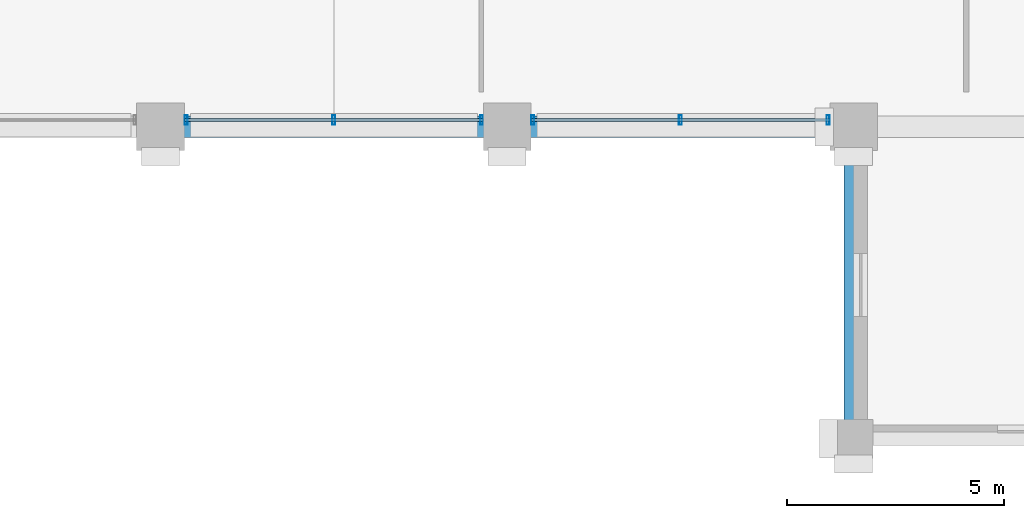
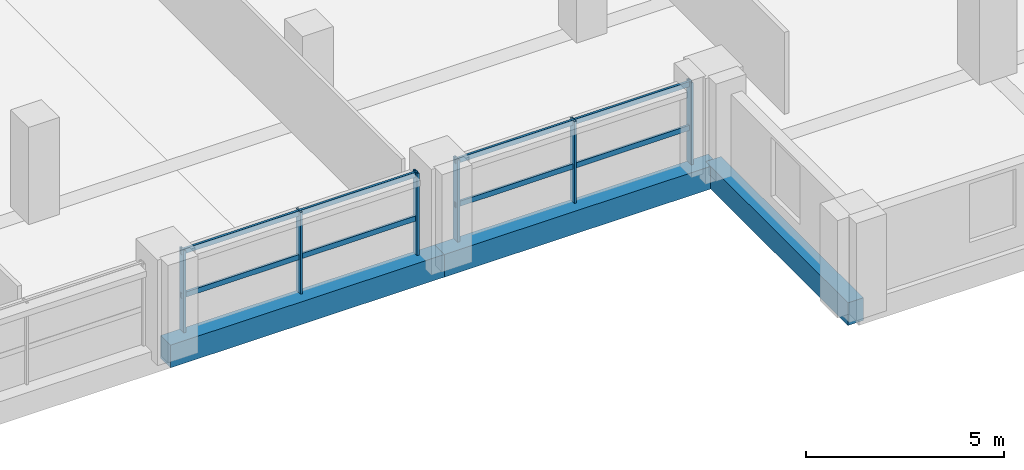
# One storey, part 6 of 22: 10 members, 3 beams, 2 elements without a shape of their own.
"""IFC4 building model written with IfcOpenShell, lengths in metres."""

from ifc_helpers import new_model, si_unit, direction, frame, origin, origin_2d, place, context, subcontext, project, spatial, rectangle, hollow_rectangle, extrude, material, material_profile, profile_set, type_object, element, aggregate, save


model = new_model("IFC4")

# Units and contexts
model_context = context("Model", 3, precision=1e-05, world=origin(), true_north=direction((0.0, 1.0)))
body_context = subcontext(model_context, "Body", "Model", "MODEL_VIEW")
ifc_project = project(units=[si_unit("LENGTHUNIT", "METRE"), si_unit("AREAUNIT", "SQUARE_METRE"), si_unit("VOLUMEUNIT", "CUBIC_METRE"), si_unit("PLANEANGLEUNIT", "RADIAN"), si_unit("MASSUNIT", "GRAM", prefix="KILO")], contexts=[model_context])

# Site, building, storey
site_placement = place(None, origin())
site = spatial("IfcSite", under=ifc_project, at=site_placement, CompositionType="ELEMENT")
building_placement = place(site_placement, origin())
building = spatial("IfcBuilding", under=site, at=building_placement, Name="Akrevak Sports Hall", CompositionType="ELEMENT")
storey_placement = place(building_placement, frame((0.0, 0.0, 30.800048828125)))
storey = spatial("IfcBuildingStorey", under=building, at=storey_placement, Name="L06", CompositionType="ELEMENT", Elevation=30.800048828125)

# Curtain wall, members
ifc_material_1 = material(Name="Anodized Bronze Aluminium & Low-E Glass", Category="aluminium")
curtain_wall_type = type_object("IfcCurtainWallType", Name="ARC-CW-TWR-64x30", PredefinedType="NOTDEFINED", material=ifc_material_1)
curtain_wall_1_placement = place(storey_placement, origin())
curtain_wall_1 = element("IfcCurtainWall", 1, at=curtain_wall_1_placement, inside=storey, type_object=curtain_wall_type, Name="Curtain Wall CW-L06-S06", PredefinedType="NOTDEFINED")
ifc_material_2 = material(Name="Anodized Bronze Aluminium", Category="aluminium")
ifc_material_profile_1 = material_profile(ifc_material_2, hollow_rectangle(XDim=0.06494140625, YDim=0.219970703125, WallThickness=0.00439453125, at=origin_2d()), Name="CWM 65x220", Category="aluminium")
ifc_profile_set_1 = profile_set([ifc_material_profile_1], Name="Anodized Bronze Aluminium")
member_type_1 = type_object("IfcMemberType", Name="ARC-CWM-70x160", PredefinedType="MULLION", material=ifc_profile_set_1)
member_1_placement = place(storey_placement, frame((76.590087890625, 28.9599609375, 0.0), z_axis=(0.0, 0.0, 1.0), x_axis=(1.0, 0.0, 0.0)))
member_1 = element("IfcMember", 2, at=member_1_placement, type_object=member_type_1, Name="Curtain Wall Mullion CW-L06-S06-M1", PredefinedType="MULLION", context=body_context, shape_type="SweptSolid", body=[
    extrude(hollow_rectangle(XDim=0.06494140625, YDim=0.219970703125, WallThickness=0.00439453125, at=origin_2d()), origin(), (0.0, 0.0, 1.0), 2.530029296875),
])
member_2_placement = place(storey_placement, frame((80.0, 28.9599609375, 0.0), z_axis=(0.0, 0.0, 1.0), x_axis=(1.0, 0.0, 0.0)))
member_2 = element("IfcMember", 3, at=member_2_placement, type_object=member_type_1, Name="Curtain Wall Mullion CW-L06-S06-M2", PredefinedType="MULLION", context=body_context, shape_type="SweptSolid", body=[
    extrude(hollow_rectangle(XDim=0.06494140625, YDim=0.219970703125, WallThickness=0.00439453125, at=origin_2d()), origin(), (0.0, 0.0, 1.0), 2.530029296875),
])
member_3_placement = place(storey_placement, frame((83.409912109375, 28.9599609375, 0.0), z_axis=(0.0, 0.0, 1.0), x_axis=(1.0, 0.0, 0.0)))
member_3 = element("IfcMember", 4, at=member_3_placement, type_object=member_type_1, Name="Curtain Wall Mullion CW-L06-S06-M3", PredefinedType="MULLION", context=body_context, shape_type="SweptSolid", body=[
    extrude(hollow_rectangle(XDim=0.06494140625, YDim=0.219970703125, WallThickness=0.00439453125, at=origin_2d()), origin(), (0.0, 0.0, 1.0), 2.530029296875),
])

curtain_wall_2_placement = place(storey_placement, origin())
curtain_wall_2 = element("IfcCurtainWall", 5, at=curtain_wall_2_placement, inside=storey, type_object=curtain_wall_type, Name="Curtain Wall CW-L06-S07", PredefinedType="NOTDEFINED")
member_4_placement = place(storey_placement, frame((84.590087890625, 28.9599609375, 0.0), z_axis=(0.0, 0.0, 1.0), x_axis=(1.0, 0.0, 0.0)))
member_4 = element("IfcMember", 6, at=member_4_placement, type_object=member_type_1, Name="Curtain Wall Mullion CW-L06-S07-M1", PredefinedType="MULLION", context=body_context, shape_type="SweptSolid", body=[
    extrude(hollow_rectangle(XDim=0.06494140625, YDim=0.219970703125, WallThickness=0.00439453125, at=origin_2d()), origin(), (0.0, 0.0, 1.0), 2.530029296875),
])
member_5_placement = place(storey_placement, frame((88.0, 28.9599609375, 0.0), z_axis=(0.0, 0.0, 1.0), x_axis=(1.0, 0.0, 0.0)))
member_5 = element("IfcMember", 7, at=member_5_placement, type_object=member_type_1, Name="Curtain Wall Mullion CW-L06-S07-M2", PredefinedType="MULLION", context=body_context, shape_type="SweptSolid", body=[
    extrude(hollow_rectangle(XDim=0.06494140625, YDim=0.219970703125, WallThickness=0.00439453125, at=origin_2d()), origin(), (0.0, 0.0, 1.0), 2.530029296875),
])
member_6_placement = place(storey_placement, frame((91.409912109375, 28.9599609375, 0.0), z_axis=(0.0, 0.0, 1.0), x_axis=(1.0, 0.0, 0.0)))
member_6 = element("IfcMember", 8, at=member_6_placement, type_object=member_type_1, Name="Curtain Wall Mullion CW-L06-S07-M3", PredefinedType="MULLION", context=body_context, shape_type="SweptSolid", body=[
    extrude(hollow_rectangle(XDim=0.06494140625, YDim=0.219970703125, WallThickness=0.00439453125, at=origin_2d()), origin(), (0.0, 0.0, 1.0), 2.530029296875),
])

# Member
ifc_material_profile_2 = material_profile(ifc_material_2, hollow_rectangle(XDim=0.06494140625, YDim=0.159912109375, WallThickness=0.00390625, at=origin_2d()), Name="CWT 65x160", Category="aluminium")
ifc_profile_set_2 = profile_set([ifc_material_profile_2], Name="Anodized Bronze Aluminium")
member_type_2 = type_object("IfcMemberType", Name="ARC-CWT-70x130", PredefinedType="USERDEFINED", material=ifc_profile_set_2)
member_7_placement = place(storey_placement, frame((76.550048828125, 28.9599609375, 1.099853515625), z_axis=(1.0, 0.0, 0.0), x_axis=(0.0, 1.0, 0.0)))
member_7 = element("IfcMember", 9, at=member_7_placement, type_object=member_type_2, Name="Curtain Wall Transom CW-L06-S06-T1", ObjectType="TRANSOM", PredefinedType="USERDEFINED", context=body_context, shape_type="SweptSolid", body=[
    extrude(hollow_rectangle(XDim=0.06494140625, YDim=0.159912109375, WallThickness=0.00390625, at=origin_2d()), origin(), (0.0, 0.0, 1.0), 6.89990234375),
])

member_8_placement = place(storey_placement, frame((76.550048828125, 28.9599609375, 2.449951171875), z_axis=(1.0, 0.0, 0.0), x_axis=(0.0, 1.0, 0.0)))
member_8 = element("IfcMember", 10, at=member_8_placement, type_object=member_type_2, Name="Curtain Wall Transom CW-L06-S06-T2", ObjectType="TRANSOM", PredefinedType="USERDEFINED", context=body_context, shape_type="SweptSolid", body=[
    extrude(hollow_rectangle(XDim=0.06494140625, YDim=0.159912109375, WallThickness=0.00390625, at=origin_2d()), origin(), (0.0, 0.0, 1.0), 6.89990234375),
])

aggregate(curtain_wall_1, [member_1, member_2, member_3, member_7, member_8])

member_9_placement = place(storey_placement, frame((84.550048828125, 28.9599609375, 1.099853515625), z_axis=(1.0, 0.0, 0.0), x_axis=(0.0, 1.0, 0.0)))
member_9 = element("IfcMember", 11, at=member_9_placement, type_object=member_type_2, Name="Curtain Wall Transom CW-L06-S07-T1", ObjectType="TRANSOM", PredefinedType="USERDEFINED", context=body_context, shape_type="SweptSolid", body=[
    extrude(hollow_rectangle(XDim=0.06494140625, YDim=0.159912109375, WallThickness=0.00390625, at=origin_2d()), origin(), (0.0, 0.0, 1.0), 6.89990234375),
])

member_10_placement = place(storey_placement, frame((84.550048828125, 28.9599609375, 2.449951171875), z_axis=(1.0, 0.0, 0.0), x_axis=(0.0, 1.0, 0.0)))
member_10 = element("IfcMember", 12, at=member_10_placement, type_object=member_type_2, Name="Curtain Wall Transom CW-L06-S07-T2", ObjectType="TRANSOM", PredefinedType="USERDEFINED", context=body_context, shape_type="SweptSolid", body=[
    extrude(hollow_rectangle(XDim=0.06494140625, YDim=0.159912109375, WallThickness=0.00390625, at=origin_2d()), origin(), (0.0, 0.0, 1.0), 6.89990234375),
])

aggregate(curtain_wall_2, [member_4, member_5, member_6, member_9, member_10])

# Beams
ifc_material_3 = material(Name="Concrete C40/50", Category="concrete")
ifc_material_profile_3 = material_profile(ifc_material_3, rectangle(XDim=0.449951171875, YDim=0.699951171875, at=origin_2d()), Name="BM 450x700", Category="concrete")
ifc_profile_set_3 = profile_set([ifc_material_profile_3], Name="Concrete C40/50")
beam_type_1 = type_object("IfcBeamType", Name="STR-BM-RC450x700", PredefinedType="BEAM", material=ifc_profile_set_3)
beam_placement = place(storey_placement, frame((92.0, 21.60009765625, -0.35009765625), z_axis=(0.0, 1.0, 0.0), x_axis=(-1.0, 0.0, 0.0)))
element("IfcBeam", 13, at=beam_placement, inside=storey, type_object=beam_type_1, Name="Girder 13/D-E (L06)", PredefinedType="BEAM", context=body_context, shape_type="SweptSolid", body=[
    extrude(rectangle(XDim=0.449951171875, YDim=0.699951171875, at=origin_2d()), origin(), (0.0, 0.0, 1.0), 7.199951171875),
])
ifc_material_profile_4 = material_profile(ifc_material_3, rectangle(XDim=0.5, YDim=0.699951171875, at=origin_2d()), Name="BM 500x700", Category="concrete")
ifc_profile_set_4 = profile_set([ifc_material_profile_4], Name="Concrete C40/50")
beam_type_2 = type_object("IfcBeamType", Name="STR-BM-RC500x700", PredefinedType="BEAM", material=ifc_profile_set_4)
for number, where, z_axis, x_axis, name in (
    (14, (76.0, 28.800048828125, -0.35009765625), (1.0, 0.0, 0.0), (0.0, 1.0, 0.0), "Girder E/11-12 (L06)"),
    (15, (84.0, 28.800048828125, -0.35009765625), (1.0, 0.0, 0.0), (0.0, 1.0, 0.0), "Girder E/12-13 (L06)"),
):
    element("IfcBeam", number, at=place(storey_placement, frame(where, z_axis=z_axis, x_axis=x_axis)), inside=storey, type_object=beam_type_2, Name=name, PredefinedType="BEAM", context=body_context, shape_type="SweptSolid", body=[
        extrude(rectangle(XDim=0.5, YDim=0.699951171875, at=origin_2d()), origin(), (0.0, 0.0, 1.0), 8.0),
    ])

save(model, "model.ifc")
